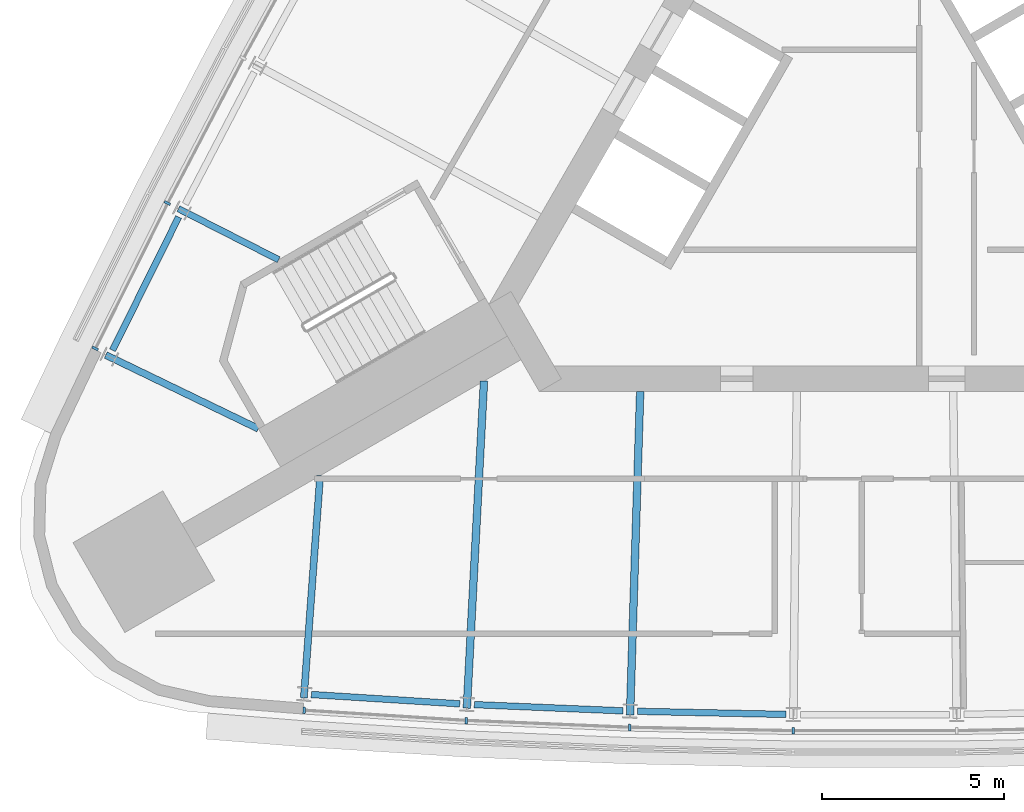
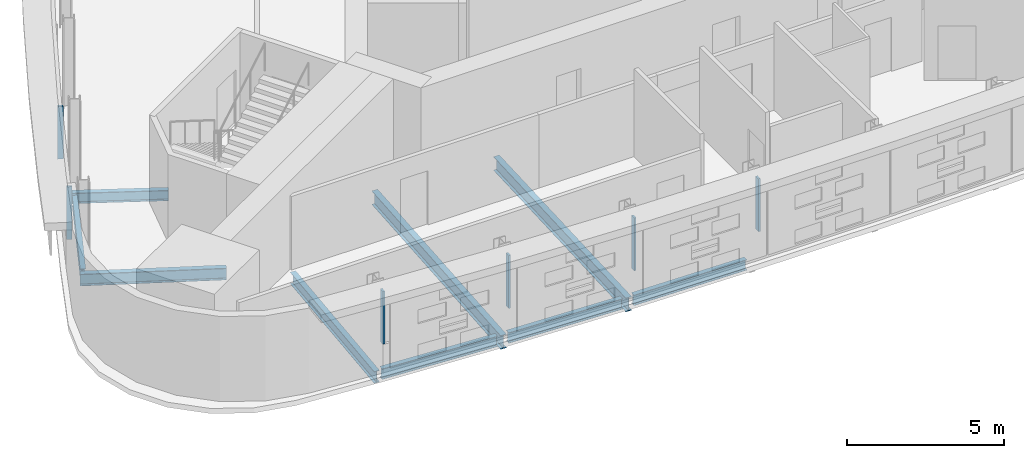
# One storey, part 2 of 12: 9 beams, 6 members, 2 elements without a shape of their own.
"""IFC4 building model written with IfcOpenShell, lengths in metres."""

from ifc_helpers import new_model, si_unit, direction, frame, origin, origin_2d, place, context, subcontext, project, spatial, rectangle, i_section, extrude, material, material_profile, profile_set, type_object, element, aggregate, save


model = new_model("IFC4")

# Units and contexts
model_context = context("Model", 3, precision=1e-05, world=origin(), true_north=direction((0.0, 1.0)))
body_context = subcontext(model_context, "Body", "Model", "MODEL_VIEW")
ifc_project = project(units=[si_unit("LENGTHUNIT", "METRE"), si_unit("AREAUNIT", "SQUARE_METRE"), si_unit("VOLUMEUNIT", "CUBIC_METRE"), si_unit("PLANEANGLEUNIT", "RADIAN"), si_unit("MASSUNIT", "GRAM", prefix="KILO")], contexts=[model_context])

# Site, building, storey
site_placement = place(None, origin())
site = spatial("IfcSite", under=ifc_project, at=site_placement, CompositionType="ELEMENT")
building_placement = place(site_placement, origin())
building = spatial("IfcBuilding", under=site, at=building_placement, Name="Noor Cloister Tower", CompositionType="ELEMENT")
storey_placement = place(building_placement, frame((0.0, 0.0, 158.10009765625)))
storey = spatial("IfcBuildingStorey", under=building, at=storey_placement, Name="L40", CompositionType="ELEMENT", Elevation=158.10009765625)

# Curtain wall, members
ifc_material_1 = material(Name="Aluminium 6063-T6 anodised", Category="aluminium")
curtain_wall_type = type_object("IfcCurtainWallType", Name="Ribbon curtain wall, upper tower CW5", PredefinedType="NOTDEFINED", material=ifc_material_1)
curtain_wall_1_placement = place(storey_placement, origin())
curtain_wall_1 = element("IfcCurtainWall", 1, at=curtain_wall_1_placement, inside=storey, type_object=curtain_wall_type, Name="CW5 L40 NW run 1", PredefinedType="NOTDEFINED")
ifc_material_2 = material(Name="Aluminium 6063-T6 anodised", Category="aluminium")
ifc_material_profile_1 = material_profile(ifc_material_2, rectangle(XDim=0.179931640625, YDim=0.070068359375, at=origin_2d()), Name="180 x 70 mullion")
ifc_profile_set_1 = profile_set([ifc_material_profile_1], Name="Aluminium 6063-T6 anodised")
member_type = type_object("IfcMemberType", Name="Mullion CW5 70 x 180", PredefinedType="MULLION", material=ifc_profile_set_1)
member_1_placement = place(storey_placement, frame((-19.45556640625, -1.74560546875, 1.099853515625), z_axis=(0.0, 0.0, 1.0), x_axis=(0.891009265748, -0.453985119086, 0.0)))
member_1 = element("IfcMember", 2, at=member_1_placement, type_object=member_type, Name="CW5 mullion 7", PredefinedType="MULLION", context=body_context, shape_type="SweptSolid", body=[
    extrude(rectangle(XDim=0.179931640625, YDim=0.070068359375, at=origin_2d()), origin(), (0.0, 0.0, 1.0), 2.050048828125),
])
member_2_placement = place(storey_placement, frame((-21.4404296875, -5.744140625, 1.099853515625), z_axis=(0.0, 0.0, 1.0), x_axis=(0.89571498076, -0.444628691429, 0.0)))
member_2 = element("IfcMember", 3, at=member_2_placement, type_object=member_type, Name="CW5 mullion 8", PredefinedType="MULLION", context=body_context, shape_type="SweptSolid", body=[
    extrude(rectangle(XDim=0.179931640625, YDim=0.070068359375, at=origin_2d()), origin(), (0.0, 0.0, 1.0), 2.050048828125),
])
aggregate(curtain_wall_1, [member_1, member_2])

curtain_wall_2_placement = place(storey_placement, origin())
curtain_wall_2 = element("IfcCurtainWall", 4, at=curtain_wall_2_placement, inside=storey, type_object=curtain_wall_type, Name="CW5 L40 S run 2", PredefinedType="NOTDEFINED")
member_3_placement = place(storey_placement, frame((-15.694580078125, -15.69580078125, 1.099853515625), z_axis=(0.0, 0.0, 1.0), x_axis=(0.062797748351, 0.998026273603, 0.0)))
member_3 = element("IfcMember", 5, at=member_3_placement, type_object=member_type, Name="CW5 mullion 1", PredefinedType="MULLION", context=body_context, shape_type="SweptSolid", body=[
    extrude(rectangle(XDim=0.179931640625, YDim=0.070068359375, at=origin_2d()), origin(), (0.0, 0.0, 1.0), 2.050048828125),
])
member_4_placement = place(storey_placement, frame((-11.23974609375, -15.97607421875, 1.099853515625), z_axis=(0.0, 0.0, 1.0), x_axis=(0.052341986805, 0.998629218688, 0.0)))
member_4 = element("IfcMember", 6, at=member_4_placement, type_object=member_type, Name="CW5 mullion 2", PredefinedType="MULLION", context=body_context, shape_type="SweptSolid", body=[
    extrude(rectangle(XDim=0.179931640625, YDim=0.070068359375, at=origin_2d()), origin(), (0.0, 0.0, 1.0), 2.050048828125),
])
member_5_placement = place(storey_placement, frame((-6.745849609375, -16.16455078125, 1.099853515625), z_axis=(0.0, 0.0, 1.0), x_axis=(0.031414387571, 0.999506446329, 0.0)))
member_5 = element("IfcMember", 7, at=member_5_placement, type_object=member_type, Name="CW5 mullion 3", PredefinedType="MULLION", context=body_context, shape_type="SweptSolid", body=[
    extrude(rectangle(XDim=0.179931640625, YDim=0.070068359375, at=origin_2d()), origin(), (0.0, 0.0, 1.0), 2.050048828125),
])
member_6_placement = place(storey_placement, frame((-2.2490234375, -16.2587890625, 1.099853515625), z_axis=(0.0, 0.0, 1.0), x_axis=(0.010472988327, 0.999945156754, 0.0)))
member_6 = element("IfcMember", 8, at=member_6_placement, type_object=member_type, Name="CW5 mullion 4", PredefinedType="MULLION", context=body_context, shape_type="SweptSolid", body=[
    extrude(rectangle(XDim=0.179931640625, YDim=0.070068359375, at=origin_2d()), origin(), (0.0, 0.0, 1.0), 2.050048828125),
])
aggregate(curtain_wall_2, [member_3, member_4, member_5, member_6])

# Beams
ifc_material_3 = material(Name="Steel ASTM A992 Gr 50", Category="steel")
ifc_material_profile_2 = material_profile(ifc_material_3, i_section(OverallWidth=0.177978515625, OverallDepth=0.406005859375, WebThickness=0.0078125, FlangeThickness=0.0126953125, FilletRadius=0.01025390625, at=origin_2d()), Name="W410x60")
ifc_profile_set_2 = profile_set([ifc_material_profile_2], Name="Steel ASTM A992 Gr 50")
beam_type_1 = type_object("IfcBeamType", Name="Radial beam W410x60", PredefinedType="BEAM", material=ifc_profile_set_2)
beam_1_placement = place(storey_placement, frame((-19.14990234375, -1.9013671875, -0.403076171875), z_axis=(0.89098946836, -0.454023972133, 0.0), x_axis=(0.454023972133, 0.89098946836, 0.0)))
element("IfcBeam", 9, at=beam_1_placement, inside=storey, type_object=beam_type_1, Name="Radial beam NW 07 L40", PredefinedType="BEAM", context=body_context, shape_type="SweptSolid", body=[
    extrude(i_section(OverallWidth=0.177978515625, OverallDepth=0.406005859375, WebThickness=0.0078125, FlangeThickness=0.0126953125, FilletRadius=0.01025390625, at=origin_2d()), origin(), (0.0, 0.0, 1.0), 3.09130859375),
])
ifc_material_4 = material(Name="Steel ASTM A992 Gr 50", Category="steel")
ifc_material_profile_3 = material_profile(ifc_material_4, i_section(OverallWidth=0.19091796875, OverallDepth=0.45703125, WebThickness=0.009033203125, FlangeThickness=0.014404296875, FilletRadius=0.01025390625, at=origin_2d()), Name="W460x74")
ifc_profile_set_3 = profile_set([ifc_material_profile_3], Name="Steel ASTM A992 Gr 50")
beam_type_2 = type_object("IfcBeamType", Name="Radial beam W460x74", PredefinedType="BEAM", material=ifc_profile_set_3)
beam_2_placement = place(storey_placement, frame((-21.146728515625, -5.923828125, -0.4287109375), z_axis=(0.900330817951, -0.435206179009, 0.0), x_axis=(0.435206179009, 0.900330817951, 0.0)))
element("IfcBeam", 10, at=beam_2_placement, inside=storey, type_object=beam_type_2, Name="Radial beam NW 08 L40", PredefinedType="BEAM", context=body_context, shape_type="SweptSolid", body=[
    extrude(i_section(OverallWidth=0.19091796875, OverallDepth=0.45703125, WebThickness=0.009033203125, FlangeThickness=0.014404296875, FilletRadius=0.01025390625, at=origin_2d()), origin(), (0.0, 0.0, 1.0), 4.659423828125),
])
beam_3_placement = place(storey_placement, frame((-15.703369140625, -15.3515625, -0.4287109375), z_axis=(0.073228877714, 0.997315161556, 0.0), x_axis=(-0.997315161556, 0.073228877714, 0.0)))
element("IfcBeam", 11, at=beam_3_placement, inside=storey, type_object=beam_type_2, Name="Radial beam S 01 L40", PredefinedType="BEAM", context=body_context, shape_type="SweptSolid", body=[
    extrude(i_section(OverallWidth=0.19091796875, OverallDepth=0.45703125, WebThickness=0.009033203125, FlangeThickness=0.014404296875, FilletRadius=0.01025390625, at=origin_2d()), origin(), (0.0, 0.0, 1.0), 6.127685546875),
])
ifc_material_5 = material(Name="Steel ASTM A992 Gr 50", Category="steel")
ifc_material_profile_4 = material_profile(ifc_material_5, i_section(OverallWidth=0.208984375, OverallDepth=0.532958984375, WebThickness=0.01025390625, FlangeThickness=0.015625, FilletRadius=0.0126953125, at=origin_2d()), Name="W530x92")
ifc_profile_set_4 = profile_set([ifc_material_profile_4], Name="Steel ASTM A992 Gr 50")
beam_type_3 = type_object("IfcBeamType", Name="Radial beam W530x92", PredefinedType="BEAM", material=ifc_profile_set_4)
beam_4_placement = place(storey_placement, frame((-11.2216796875, -15.633544921875, -0.466552734375), z_axis=(0.052345413135, 0.998629039095, 0.0), x_axis=(-0.998629039095, 0.052345413135, 0.0)))
element("IfcBeam", 12, at=beam_4_placement, inside=storey, type_object=beam_type_3, Name="Radial beam S 02 L40", PredefinedType="BEAM", context=body_context, shape_type="SweptSolid", body=[
    extrude(i_section(OverallWidth=0.208984375, OverallDepth=0.532958984375, WebThickness=0.01025390625, FlangeThickness=0.015625, FilletRadius=0.0126953125, at=origin_2d()), origin(), (0.0, 0.0, 1.0), 9.00634765625),
])
beam_5_placement = place(storey_placement, frame((-6.73486328125, -15.82177734375, -0.466552734375), z_axis=(0.031388939531, 0.999507245834, 0.0), x_axis=(-0.999507245834, 0.031388939531, 0.0)))
element("IfcBeam", 13, at=beam_5_placement, inside=storey, type_object=beam_type_3, Name="Radial beam S 03 L40", PredefinedType="BEAM", context=body_context, shape_type="SweptSolid", body=[
    extrude(i_section(OverallWidth=0.208984375, OverallDepth=0.532958984375, WebThickness=0.01025390625, FlangeThickness=0.015625, FilletRadius=0.0126953125, at=origin_2d()), origin(), (0.0, 0.0, 1.0), 8.89794921875),
])
ifc_material_6 = material(Name="Steel ASTM A992 Gr 50", Category="steel")
ifc_material_profile_5 = material_profile(ifc_material_6, i_section(OverallWidth=0.177978515625, OverallDepth=0.406005859375, WebThickness=0.0078125, FlangeThickness=0.0126953125, FilletRadius=0.01025390625, at=origin_2d()), Name="W410x60")
ifc_profile_set_5 = profile_set([ifc_material_profile_5], Name="Steel ASTM A992 Gr 50")
beam_type_4 = type_object("IfcBeamType", Name="Spandrel beam W410x60", PredefinedType="SPANDREL", material=ifc_profile_set_5)
beam_6_placement = place(storey_placement, frame((-19.143310546875, -2.128662109375, -0.403076171875), z_axis=(-0.444632770879, -0.895712955729, 0.0), x_axis=(0.895712955729, -0.444632770879, 0.0)))
element("IfcBeam", 14, at=beam_6_placement, inside=storey, type_object=beam_type_4, Name="Spandrel beam NW 07 L40", PredefinedType="SPANDREL", context=body_context, shape_type="SweptSolid", body=[
    extrude(i_section(OverallWidth=0.177978515625, OverallDepth=0.406005859375, WebThickness=0.0078125, FlangeThickness=0.0126953125, FilletRadius=0.01025390625, at=origin_2d()), origin(), (0.0, 0.0, 1.0), 4.089599609375),
])
beam_7_placement = place(storey_placement, frame((-15.49658203125, -15.257568359375, -0.403076171875), z_axis=(0.998029512808, -0.06274624741, 0.0), x_axis=(0.06274624741, 0.998029512808, 0.0)))
element("IfcBeam", 15, at=beam_7_placement, inside=storey, type_object=beam_type_4, Name="Spandrel beam S 01 L40", PredefinedType="SPANDREL", context=body_context, shape_type="SweptSolid", body=[
    extrude(i_section(OverallWidth=0.177978515625, OverallDepth=0.406005859375, WebThickness=0.0078125, FlangeThickness=0.0126953125, FilletRadius=0.01025390625, at=origin_2d()), origin(), (0.0, 0.0, 1.0), 4.08935546875),
])
for number, where, z_axis, x_axis, name in (
    (16, (-11.016845703125, -15.53515625, -0.403076171875), (0.99912394431, -0.041849061004, 0.0), (0.041849061004, 0.99912394431, 0.0), "Spandrel beam S 02 L40"),
    (17, (-6.5322265625, -15.718994140625, -0.403076171875), (0.999780432962, -0.020954375827, 0.0), (0.020954375827, 0.999780432962, 0.0), "Spandrel beam S 03 L40"),
):
    element("IfcBeam", number, at=place(storey_placement, frame(where, z_axis=z_axis, x_axis=x_axis)), inside=storey, type_object=beam_type_4, Name=name, PredefinedType="SPANDREL", context=body_context, shape_type="SweptSolid", body=[
        extrude(i_section(OverallWidth=0.177978515625, OverallDepth=0.406005859375, WebThickness=0.0078125, FlangeThickness=0.0126953125, FilletRadius=0.01025390625, at=origin_2d()), origin(), (0.0, 0.0, 1.0), 4.089599609375),
    ])

save(model, "model.ifc")
